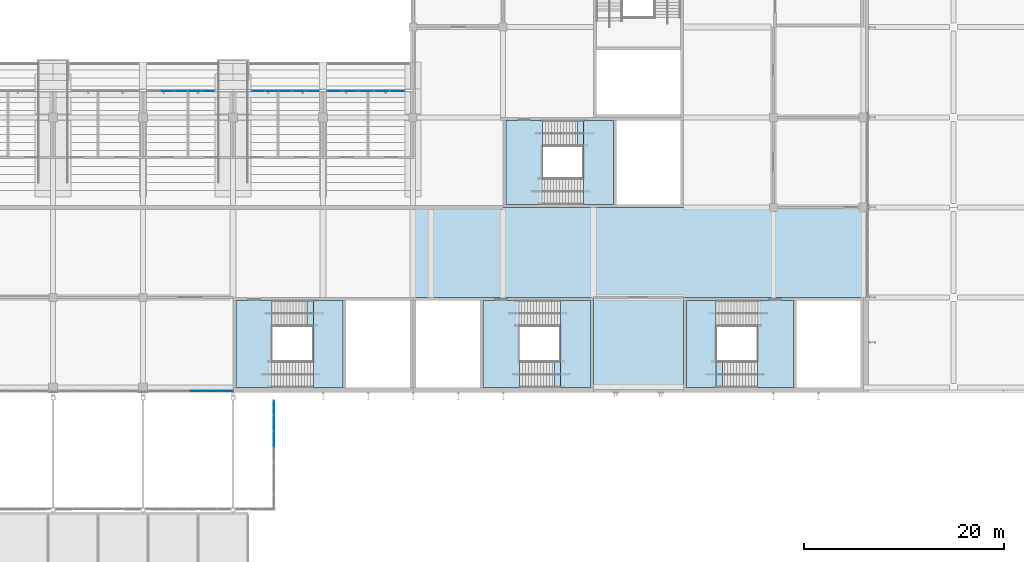
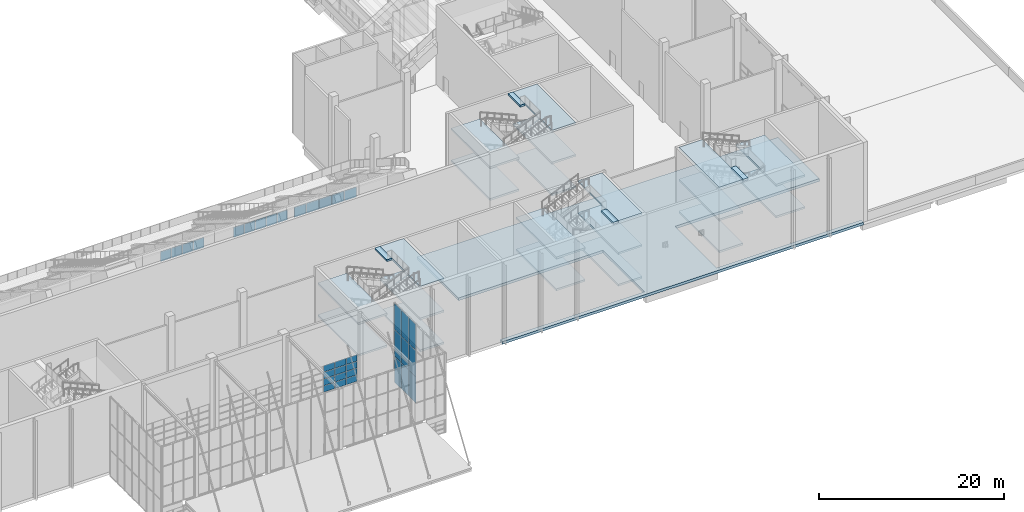
# One storey, part 73 of 182: 35 plates, 25 slabs, 9 elements without a shape of their own.
"""IFC4 building model written with IfcOpenShell, lengths in metres."""

from ifc_helpers import new_model, si_unit, direction, frame, origin, origin_2d, place, context, subcontext, project, spatial, polyline, rectangle, outline, extrude, material, layer, layer_set, type_object, element, aggregate, save


model = new_model("IFC4")

# Units and contexts
model_context = context("Model", 3, precision=1e-05, world=origin(), true_north=direction((0.0, 1.0)))
body_context = subcontext(model_context, "Body", "Model", "MODEL_VIEW")
ifc_project = project(units=[si_unit("LENGTHUNIT", "METRE"), si_unit("AREAUNIT", "SQUARE_METRE"), si_unit("VOLUMEUNIT", "CUBIC_METRE"), si_unit("PLANEANGLEUNIT", "RADIAN"), si_unit("MASSUNIT", "GRAM", prefix="KILO")], contexts=[model_context])

# Site, building, storey
site_placement = place(None, origin())
site = spatial("IfcSite", under=ifc_project, at=site_placement, CompositionType="ELEMENT")
building_placement = place(site_placement, origin())
building = spatial("IfcBuilding", under=site, at=building_placement, Name="Silverbay Arena", CompositionType="ELEMENT")
storey_placement = place(building_placement, frame((0.0, 0.0, 11.5)))
storey = spatial("IfcBuildingStorey", under=building, at=storey_placement, Name="L02", CompositionType="ELEMENT", Elevation=11.5)

# Curtain wall, plates
ifc_material_1 = material(Name="Fire-resisting glass", Category="glass")
curtain_wall_type_1 = type_object("IfcCurtainWallType", Name="Fire-resisting glazed screen EI 120 6850 x 1437", PredefinedType="NOTDEFINED", material=ifc_material_1)
curtain_wall_1_placement = place(storey_placement, origin())
curtain_wall_1 = element("IfcCurtainWall", 1, at=curtain_wall_1_placement, inside=storey, type_object=curtain_wall_type_1, Name="South suite front 5", PredefinedType="NOTDEFINED")
ifc_material_2 = material(Name="Laminated glass", Category="glass")
ifc_layer_1 = layer(ifc_material_2, 0.02392578125)
ifc_layer_set_1 = layer_set([ifc_layer_1], Name="Laminated glass")
plate_type_1 = type_object("IfcPlateType", Name="Glass panel 24", PredefinedType="CURTAIN_PANEL", material=ifc_layer_set_1)
plate_1_placement = place(storey_placement, frame((137.405029296875, 47.60009765625, 1.150146484375), z_axis=(0.0, 0.0, 1.0), x_axis=(1.0, 0.0, 0.0)))
plate_1 = element("IfcPlate", 2, at=plate_1_placement, type_object=plate_type_1, Name="CW19 panel 2.1", PredefinedType="CURTAIN_PANEL", context=body_context, shape_type="SweptSolid", body=[
    extrude(rectangle(XDim=1.31005859375, YDim=0.02392578125, at=origin_2d()), origin(), (0.0, 0.0, 1.0), 1.3369140625),
])
plate_2_placement = place(storey_placement, frame((138.77490234375, 47.60009765625, 1.150146484375), z_axis=(0.0, 0.0, 1.0), x_axis=(1.0, 0.0, 0.0)))
plate_2 = element("IfcPlate", 3, at=plate_2_placement, type_object=plate_type_1, Name="CW19 panel 3.1", PredefinedType="CURTAIN_PANEL", context=body_context, shape_type="SweptSolid", body=[
    extrude(rectangle(XDim=1.31005859375, YDim=0.02392578125, at=origin_2d()), origin(), (0.0, 0.0, 1.0), 1.3369140625),
])
plate_3_placement = place(storey_placement, frame((140.14501953125, 47.60009765625, 1.150146484375), z_axis=(0.0, 0.0, 1.0), x_axis=(1.0, 0.0, 0.0)))
plate_3 = element("IfcPlate", 4, at=plate_3_placement, type_object=plate_type_1, Name="CW19 panel 4.1", PredefinedType="CURTAIN_PANEL", context=body_context, shape_type="SweptSolid", body=[
    extrude(rectangle(XDim=1.31005859375, YDim=0.02392578125, at=origin_2d()), origin(), (0.0, 0.0, 1.0), 1.3369140625),
])
plate_4_placement = place(storey_placement, frame((141.5, 47.60009765625, 1.150146484375), z_axis=(0.0, 0.0, 1.0), x_axis=(1.0, 0.0, 0.0)))
plate_4 = element("IfcPlate", 5, at=plate_4_placement, type_object=plate_type_1, Name="CW19 panel 5.1", PredefinedType="CURTAIN_PANEL", context=body_context, shape_type="SweptSolid", body=[
    extrude(rectangle(XDim=1.280029296875, YDim=0.02392578125, at=origin_2d()), origin(), (0.0, 0.0, 1.0), 1.3369140625),
])
aggregate(curtain_wall_1, [plate_1, plate_2, plate_3, plate_4])

curtain_wall_2_placement = place(storey_placement, origin())
curtain_wall_2 = element("IfcCurtainWall", 6, at=curtain_wall_2_placement, inside=storey, type_object=curtain_wall_type_1, Name="South suite front 6", PredefinedType="NOTDEFINED")
plate_5_placement = place(storey_placement, frame((146.5, 47.60009765625, 1.150146484375), z_axis=(0.0, 0.0, 1.0), x_axis=(1.0, 0.0, 0.0)))
plate_5 = element("IfcPlate", 7, at=plate_5_placement, type_object=plate_type_1, Name="CW19 panel 1.1", PredefinedType="CURTAIN_PANEL", context=body_context, shape_type="SweptSolid", body=[
    extrude(rectangle(XDim=1.280029296875, YDim=0.02392578125, at=origin_2d()), origin(), (0.0, 0.0, 1.0), 1.3369140625),
])
plate_6_placement = place(storey_placement, frame((147.85498046875, 47.60009765625, 1.150146484375), z_axis=(0.0, 0.0, 1.0), x_axis=(1.0, 0.0, 0.0)))
plate_6 = element("IfcPlate", 8, at=plate_6_placement, type_object=plate_type_1, Name="CW19 panel 2.1", PredefinedType="CURTAIN_PANEL", context=body_context, shape_type="SweptSolid", body=[
    extrude(rectangle(XDim=1.31005859375, YDim=0.02392578125, at=origin_2d()), origin(), (0.0, 0.0, 1.0), 1.3369140625),
])
plate_7_placement = place(storey_placement, frame((149.22509765625, 47.60009765625, 1.150146484375), z_axis=(0.0, 0.0, 1.0), x_axis=(1.0, 0.0, 0.0)))
plate_7 = element("IfcPlate", 9, at=plate_7_placement, type_object=plate_type_1, Name="CW19 panel 3.1", PredefinedType="CURTAIN_PANEL", context=body_context, shape_type="SweptSolid", body=[
    extrude(rectangle(XDim=1.31005859375, YDim=0.02392578125, at=origin_2d()), origin(), (0.0, 0.0, 1.0), 1.3369140625),
])
plate_8_placement = place(storey_placement, frame((150.594970703125, 47.60009765625, 1.150146484375), z_axis=(0.0, 0.0, 1.0), x_axis=(1.0, 0.0, 0.0)))
plate_8 = element("IfcPlate", 10, at=plate_8_placement, type_object=plate_type_1, Name="CW19 panel 4.1", PredefinedType="CURTAIN_PANEL", context=body_context, shape_type="SweptSolid", body=[
    extrude(rectangle(XDim=1.31005859375, YDim=0.02392578125, at=origin_2d()), origin(), (0.0, 0.0, 1.0), 1.3369140625),
])
plate_9_placement = place(storey_placement, frame((151.949951171875, 47.60009765625, 1.150146484375), z_axis=(0.0, 0.0, 1.0), x_axis=(1.0, 0.0, 0.0)))
plate_9 = element("IfcPlate", 11, at=plate_9_placement, type_object=plate_type_1, Name="CW19 panel 5.1", PredefinedType="CURTAIN_PANEL", context=body_context, shape_type="SweptSolid", body=[
    extrude(rectangle(XDim=1.280029296875, YDim=0.02392578125, at=origin_2d()), origin(), (0.0, 0.0, 1.0), 1.3369140625),
])
aggregate(curtain_wall_2, [plate_5, plate_6, plate_7, plate_8, plate_9])

ifc_material_3 = material(Name="Fire-resisting glass", Category="glass")
curtain_wall_type_2 = type_object("IfcCurtainWallType", Name="Fire-resisting glazed screen EI 120 7850 x 1437", PredefinedType="NOTDEFINED", material=ifc_material_3)
curtain_wall_3_placement = place(storey_placement, origin())
curtain_wall_3 = element("IfcCurtainWall", 12, at=curtain_wall_3_placement, inside=storey, type_object=curtain_wall_type_2, Name="South suite front 7", PredefinedType="NOTDEFINED")
plate_10_placement = place(storey_placement, frame((154.14990234375, 47.60009765625, 1.150146484375), z_axis=(0.0, 0.0, 1.0), x_axis=(1.0, 0.0, 0.0)))
plate_10 = element("IfcPlate", 13, at=plate_10_placement, type_object=plate_type_1, Name="CW17 panel 1.1", PredefinedType="CURTAIN_PANEL", context=body_context, shape_type="SweptSolid", body=[
    extrude(rectangle(XDim=1.47998046875, YDim=0.02392578125, at=origin_2d()), origin(), (0.0, 0.0, 1.0), 1.3369140625),
])
plate_11_placement = place(storey_placement, frame((155.705078125, 47.60009765625, 1.150146484375), z_axis=(0.0, 0.0, 1.0), x_axis=(1.0, 0.0, 0.0)))
plate_11 = element("IfcPlate", 14, at=plate_11_placement, type_object=plate_type_1, Name="CW17 panel 2.1", PredefinedType="CURTAIN_PANEL", context=body_context, shape_type="SweptSolid", body=[
    extrude(rectangle(XDim=1.510009765625, YDim=0.02392578125, at=origin_2d()), origin(), (0.0, 0.0, 1.0), 1.3369140625),
])
plate_12_placement = place(storey_placement, frame((157.27490234375, 47.60009765625, 1.150146484375), z_axis=(0.0, 0.0, 1.0), x_axis=(1.0, 0.0, 0.0)))
plate_12 = element("IfcPlate", 15, at=plate_12_placement, type_object=plate_type_1, Name="CW17 panel 3.1", PredefinedType="CURTAIN_PANEL", context=body_context, shape_type="SweptSolid", body=[
    extrude(rectangle(XDim=1.510009765625, YDim=0.02392578125, at=origin_2d()), origin(), (0.0, 0.0, 1.0), 1.3369140625),
])
plate_13_placement = place(storey_placement, frame((158.844970703125, 47.60009765625, 1.150146484375), z_axis=(0.0, 0.0, 1.0), x_axis=(1.0, 0.0, 0.0)))
plate_13 = element("IfcPlate", 16, at=plate_13_placement, type_object=plate_type_1, Name="CW17 panel 4.1", PredefinedType="CURTAIN_PANEL", context=body_context, shape_type="SweptSolid", body=[
    extrude(rectangle(XDim=1.510009765625, YDim=0.02392578125, at=origin_2d()), origin(), (0.0, 0.0, 1.0), 1.3369140625),
])
plate_14_placement = place(storey_placement, frame((160.39990234375, 47.60009765625, 1.150146484375), z_axis=(0.0, 0.0, 1.0), x_axis=(1.0, 0.0, 0.0)))
plate_14 = element("IfcPlate", 17, at=plate_14_placement, type_object=plate_type_1, Name="CW17 panel 5.1", PredefinedType="CURTAIN_PANEL", context=body_context, shape_type="SweptSolid", body=[
    extrude(rectangle(XDim=1.47998046875, YDim=0.02392578125, at=origin_2d()), origin(), (0.0, 0.0, 1.0), 1.3369140625),
])
aggregate(curtain_wall_3, [plate_10, plate_11, plate_12, plate_13, plate_14])

ifc_material_4 = material(Name="Aluminium framed curtain wall", Category="aluminium")
curtain_wall_type_3 = type_object("IfcCurtainWallType", Name="Curtain wall 11000 x 10500", PredefinedType="NOTDEFINED", material=ifc_material_4)
curtain_wall_4_placement = place(storey_placement, origin())
curtain_wall_4 = element("IfcCurtainWall", 18, at=curtain_wall_4_placement, inside=storey, type_object=curtain_wall_type_3, Name="South entrance hall S1 glazing SB", PredefinedType="NOTDEFINED")
ifc_material_5 = material(Name="Laminated glass", Category="glass")
ifc_layer_2 = layer(ifc_material_5, 0.028076171875)
ifc_layer_set_2 = layer_set([ifc_layer_2], Name="Laminated glass")
plate_type_2 = type_object("IfcPlateType", Name="Glass panel 28", PredefinedType="CURTAIN_PANEL", material=ifc_layer_set_2)
plate_15_placement = place(storey_placement, frame((148.090087890625, 12.821533203125, 0.0498046875), z_axis=(0.0, 0.0, 1.0), x_axis=(0.0, 1.0, 0.0)))
plate_15 = element("IfcPlate", 19, at=plate_15_placement, type_object=plate_type_2, Name="CW37 panel 5.1", PredefinedType="CURTAIN_PANEL", context=body_context, shape_type="SweptSolid", body=[
    extrude(rectangle(XDim=1.511474609375, YDim=0.028076171875, at=origin_2d()), origin(), (0.0, 0.0, 1.0), 3.425048828125),
])
plate_16_placement = place(storey_placement, frame((148.090087890625, 12.821533203125, 3.52490234375), z_axis=(0.0, 0.0, 1.0), x_axis=(0.0, 1.0, 0.0)))
plate_16 = element("IfcPlate", 20, at=plate_16_placement, type_object=plate_type_2, Name="CW37 panel 5.2", PredefinedType="CURTAIN_PANEL", context=body_context, shape_type="SweptSolid", body=[
    extrude(rectangle(XDim=1.511474609375, YDim=0.028076171875, at=origin_2d()), origin(), (0.0, 0.0, 1.0), 3.449951171875),
])
plate_17_placement = place(storey_placement, frame((148.090087890625, 12.821533203125, 7.02490234375), z_axis=(0.0, 0.0, 1.0), x_axis=(0.0, 1.0, 0.0)))
plate_17 = element("IfcPlate", 21, at=plate_17_placement, type_object=plate_type_2, Name="CW37 panel 5.3", PredefinedType="CURTAIN_PANEL", context=body_context, shape_type="SweptSolid", body=[
    extrude(rectangle(XDim=1.511474609375, YDim=0.028076171875, at=origin_2d()), origin(), (0.0, 0.0, 1.0), 3.425048828125),
])
plate_18_placement = place(storey_placement, frame((148.090087890625, 14.392822265625, 0.0498046875), z_axis=(0.0, 0.0, 1.0), x_axis=(0.0, 1.0, 0.0)))
plate_18 = element("IfcPlate", 22, at=plate_18_placement, type_object=plate_type_2, Name="CW37 panel 6.1", PredefinedType="CURTAIN_PANEL", context=body_context, shape_type="SweptSolid", body=[
    extrude(rectangle(XDim=1.511474609375, YDim=0.028076171875, at=origin_2d()), origin(), (0.0, 0.0, 1.0), 3.425048828125),
])
plate_19_placement = place(storey_placement, frame((148.090087890625, 14.392822265625, 3.52490234375), z_axis=(0.0, 0.0, 1.0), x_axis=(0.0, 1.0, 0.0)))
plate_19 = element("IfcPlate", 23, at=plate_19_placement, type_object=plate_type_2, Name="CW37 panel 6.2", PredefinedType="CURTAIN_PANEL", context=body_context, shape_type="SweptSolid", body=[
    extrude(rectangle(XDim=1.511474609375, YDim=0.028076171875, at=origin_2d()), origin(), (0.0, 0.0, 1.0), 3.449951171875),
])
plate_20_placement = place(storey_placement, frame((148.090087890625, 14.392822265625, 7.02490234375), z_axis=(0.0, 0.0, 1.0), x_axis=(0.0, 1.0, 0.0)))
plate_20 = element("IfcPlate", 24, at=plate_20_placement, type_object=plate_type_2, Name="CW37 panel 6.3", PredefinedType="CURTAIN_PANEL", context=body_context, shape_type="SweptSolid", body=[
    extrude(rectangle(XDim=1.511474609375, YDim=0.028076171875, at=origin_2d()), origin(), (0.0, 0.0, 1.0), 3.425048828125),
])
plate_21_placement = place(storey_placement, frame((148.090087890625, 15.94921875, 0.0498046875), z_axis=(0.0, 0.0, 1.0), x_axis=(0.0, 1.0, 0.0)))
plate_21 = element("IfcPlate", 25, at=plate_21_placement, type_object=plate_type_2, Name="CW37 panel 7.1", PredefinedType="CURTAIN_PANEL", context=body_context, shape_type="SweptSolid", body=[
    extrude(rectangle(XDim=1.4814453125, YDim=0.028076171875, at=origin_2d()), origin(), (0.0, 0.0, 1.0), 3.425048828125),
])
plate_22_placement = place(storey_placement, frame((148.090087890625, 15.94921875, 3.52490234375), z_axis=(0.0, 0.0, 1.0), x_axis=(0.0, 1.0, 0.0)))
plate_22 = element("IfcPlate", 26, at=plate_22_placement, type_object=plate_type_2, Name="CW37 panel 7.2", PredefinedType="CURTAIN_PANEL", context=body_context, shape_type="SweptSolid", body=[
    extrude(rectangle(XDim=1.4814453125, YDim=0.028076171875, at=origin_2d()), origin(), (0.0, 0.0, 1.0), 3.449951171875),
])
plate_23_placement = place(storey_placement, frame((148.090087890625, 15.94921875, 7.02490234375), z_axis=(0.0, 0.0, 1.0), x_axis=(0.0, 1.0, 0.0)))
plate_23 = element("IfcPlate", 27, at=plate_23_placement, type_object=plate_type_2, Name="CW37 panel 7.3", PredefinedType="CURTAIN_PANEL", context=body_context, shape_type="SweptSolid", body=[
    extrude(rectangle(XDim=1.4814453125, YDim=0.028076171875, at=origin_2d()), origin(), (0.0, 0.0, 1.0), 3.425048828125),
])
aggregate(curtain_wall_4, [plate_15, plate_16, plate_17, plate_18, plate_19, plate_20, plate_21, plate_22, plate_23])

ifc_material_6 = material(Name="Aluminium framed curtain wall", Category="aluminium")
curtain_wall_type_4 = type_object("IfcCurtainWallType", Name="Curtain wall 8550 x 3600", PredefinedType="NOTDEFINED", material=ifc_material_6)
curtain_wall_5_placement = place(storey_placement, origin())
curtain_wall_5 = element("IfcCurtainWall", 28, at=curtain_wall_5_placement, inside=storey, type_object=curtain_wall_type_4, Name="South curtain wall L02 bay 10", PredefinedType="NOTDEFINED")
ifc_material_7 = material(Name="Laminated glass", Category="glass")
ifc_layer_3 = layer(ifc_material_7, 0.035888671875)
ifc_layer_set_3 = layer_set([ifc_layer_3], Name="Laminated glass")
plate_type_3 = type_object("IfcPlateType", Name="Glass panel 36", PredefinedType="CURTAIN_PANEL", material=ifc_layer_set_3)
plate_24_placement = place(storey_placement, frame((140.4375, 17.64990234375, 1.0498046875), z_axis=(0.0, 0.0, 1.0), x_axis=(1.0, 0.0, 0.0)))
plate_24 = element("IfcPlate", 29, at=plate_24_placement, type_object=plate_type_3, Name="CW10 panel 4.1", PredefinedType="CURTAIN_PANEL", context=body_context, shape_type="SweptSolid", body=[
    extrude(rectangle(XDim=1.364990234375, YDim=0.035888671875, at=origin_2d()), origin(), (0.0, 0.0, 1.0), 0.824951171875),
])
plate_25_placement = place(storey_placement, frame((140.4375, 17.64990234375, 1.925048828125), z_axis=(0.0, 0.0, 1.0), x_axis=(1.0, 0.0, 0.0)))
plate_25 = element("IfcPlate", 30, at=plate_25_placement, type_object=plate_type_3, Name="CW10 panel 4.2", PredefinedType="CURTAIN_PANEL", context=body_context, shape_type="SweptSolid", body=[
    extrude(rectangle(XDim=1.364990234375, YDim=0.035888671875, at=origin_2d()), origin(), (0.0, 0.0, 1.0), 0.85009765625),
])
plate_26_placement = place(storey_placement, frame((140.4375, 17.64990234375, 2.824951171875), z_axis=(0.0, 0.0, 1.0), x_axis=(1.0, 0.0, 0.0)))
plate_26 = element("IfcPlate", 31, at=plate_26_placement, type_object=plate_type_3, Name="CW10 panel 4.3", PredefinedType="CURTAIN_PANEL", context=body_context, shape_type="SweptSolid", body=[
    extrude(rectangle(XDim=1.364990234375, YDim=0.035888671875, at=origin_2d()), origin(), (0.0, 0.0, 1.0), 0.85009765625),
])
plate_27_placement = place(storey_placement, frame((140.4375, 17.64990234375, 3.72509765625), z_axis=(0.0, 0.0, 1.0), x_axis=(1.0, 0.0, 0.0)))
plate_27 = element("IfcPlate", 32, at=plate_27_placement, type_object=plate_type_3, Name="CW10 panel 4.4", PredefinedType="CURTAIN_PANEL", context=body_context, shape_type="SweptSolid", body=[
    extrude(rectangle(XDim=1.364990234375, YDim=0.035888671875, at=origin_2d()), origin(), (0.0, 0.0, 1.0), 0.824951171875),
])
plate_28_placement = place(storey_placement, frame((141.862548828125, 17.64990234375, 1.0498046875), z_axis=(0.0, 0.0, 1.0), x_axis=(1.0, 0.0, 0.0)))
plate_28 = element("IfcPlate", 33, at=plate_28_placement, type_object=plate_type_3, Name="CW10 panel 5.1", PredefinedType="CURTAIN_PANEL", context=body_context, shape_type="SweptSolid", body=[
    extrude(rectangle(XDim=1.364990234375, YDim=0.035888671875, at=origin_2d()), origin(), (0.0, 0.0, 1.0), 0.824951171875),
])
plate_29_placement = place(storey_placement, frame((141.862548828125, 17.64990234375, 1.925048828125), z_axis=(0.0, 0.0, 1.0), x_axis=(1.0, 0.0, 0.0)))
plate_29 = element("IfcPlate", 34, at=plate_29_placement, type_object=plate_type_3, Name="CW10 panel 5.2", PredefinedType="CURTAIN_PANEL", context=body_context, shape_type="SweptSolid", body=[
    extrude(rectangle(XDim=1.364990234375, YDim=0.035888671875, at=origin_2d()), origin(), (0.0, 0.0, 1.0), 0.85009765625),
])
plate_30_placement = place(storey_placement, frame((141.862548828125, 17.64990234375, 2.824951171875), z_axis=(0.0, 0.0, 1.0), x_axis=(1.0, 0.0, 0.0)))
plate_30 = element("IfcPlate", 35, at=plate_30_placement, type_object=plate_type_3, Name="CW10 panel 5.3", PredefinedType="CURTAIN_PANEL", context=body_context, shape_type="SweptSolid", body=[
    extrude(rectangle(XDim=1.364990234375, YDim=0.035888671875, at=origin_2d()), origin(), (0.0, 0.0, 1.0), 0.85009765625),
])
plate_31_placement = place(storey_placement, frame((141.862548828125, 17.64990234375, 3.72509765625), z_axis=(0.0, 0.0, 1.0), x_axis=(1.0, 0.0, 0.0)))
plate_31 = element("IfcPlate", 36, at=plate_31_placement, type_object=plate_type_3, Name="CW10 panel 5.4", PredefinedType="CURTAIN_PANEL", context=body_context, shape_type="SweptSolid", body=[
    extrude(rectangle(XDim=1.364990234375, YDim=0.035888671875, at=origin_2d()), origin(), (0.0, 0.0, 1.0), 0.824951171875),
])
plate_32_placement = place(storey_placement, frame((143.2724609375, 17.64990234375, 1.0498046875), z_axis=(0.0, 0.0, 1.0), x_axis=(1.0, 0.0, 0.0)))
plate_32 = element("IfcPlate", 37, at=plate_32_placement, type_object=plate_type_3, Name="CW10 panel 6.1", PredefinedType="CURTAIN_PANEL", context=body_context, shape_type="SweptSolid", body=[
    extrude(rectangle(XDim=1.3349609375, YDim=0.035888671875, at=origin_2d()), origin(), (0.0, 0.0, 1.0), 0.824951171875),
])
plate_33_placement = place(storey_placement, frame((143.2724609375, 17.64990234375, 1.925048828125), z_axis=(0.0, 0.0, 1.0), x_axis=(1.0, 0.0, 0.0)))
plate_33 = element("IfcPlate", 38, at=plate_33_placement, type_object=plate_type_3, Name="CW10 panel 6.2", PredefinedType="CURTAIN_PANEL", context=body_context, shape_type="SweptSolid", body=[
    extrude(rectangle(XDim=1.3349609375, YDim=0.035888671875, at=origin_2d()), origin(), (0.0, 0.0, 1.0), 0.85009765625),
])
plate_34_placement = place(storey_placement, frame((143.2724609375, 17.64990234375, 2.824951171875), z_axis=(0.0, 0.0, 1.0), x_axis=(1.0, 0.0, 0.0)))
plate_34 = element("IfcPlate", 39, at=plate_34_placement, type_object=plate_type_3, Name="CW10 panel 6.3", PredefinedType="CURTAIN_PANEL", context=body_context, shape_type="SweptSolid", body=[
    extrude(rectangle(XDim=1.3349609375, YDim=0.035888671875, at=origin_2d()), origin(), (0.0, 0.0, 1.0), 0.85009765625),
])
plate_35_placement = place(storey_placement, frame((143.2724609375, 17.64990234375, 3.72509765625), z_axis=(0.0, 0.0, 1.0), x_axis=(1.0, 0.0, 0.0)))
plate_35 = element("IfcPlate", 40, at=plate_35_placement, type_object=plate_type_3, Name="CW10 panel 6.4", PredefinedType="CURTAIN_PANEL", context=body_context, shape_type="SweptSolid", body=[
    extrude(rectangle(XDim=1.3349609375, YDim=0.035888671875, at=origin_2d()), origin(), (0.0, 0.0, 1.0), 0.824951171875),
])
aggregate(curtain_wall_5, [plate_24, plate_25, plate_26, plate_27, plate_28, plate_29, plate_30, plate_31, plate_32, plate_33, plate_34, plate_35])

# Slab
ifc_material_8 = material(Name="Concrete Grade C45", Category="concrete")
ifc_layer_4 = layer(ifc_material_8, 0.35009765625)
ifc_layer_set_4 = layer_set([ifc_layer_4], Name="Concrete Grade C45")
slab_type_1 = type_object("IfcSlabType", Name="RC floor slab 350", PredefinedType="FLOOR", material=ifc_layer_set_4)
slab_1_placement = place(storey_placement, frame((0.0, 0.0, -0.35009765625)))
element("IfcSlab", 41, at=slab_1_placement, inside=storey, type_object=slab_type_1, Name="Floor slab L02 unit 3", PredefinedType="FLOOR", context=body_context, shape_type="SweptSolid", body=[
    extrude(outline(polyline([(180.0, 27.0), (162.0, 27.0), (162.0, 35.97509765625), (207.0, 35.97509765625), (207.0, 27.0), (189.0, 27.0), (189.0, 18.0), (207.0, 18.0), (207.0, 17.5), (162.0, 17.5), (162.0, 18.0), (180.0, 18.0), (180.0, 27.0)])), origin(), (0.0, 0.0, 1.0), 0.35009765625),
])

# Stair, slab
ifc_material_9 = material(Name="Concrete Grade C45", Category="concrete")
stair_type = type_object("IfcStairType", Name="Stair 2600 wide 80 risers 131.2 x 300", PredefinedType="HALF_TURN_STAIR", material=ifc_material_9)
stair_1_placement = place(storey_placement, origin())
stair_1 = element("IfcStair", 42, at=stair_1_placement, inside=storey, type_object=stair_type, Name="Stair ST-S3 L02 to L03", PredefinedType="HALF_TURN_STAIR")
ifc_material_10 = material(Name="Concrete Grade C45", Category="concrete")
ifc_layer_5 = layer(ifc_material_10, 0.25)
ifc_layer_set_5 = layer_set([ifc_layer_5], Name="Concrete Grade C45")
slab_type_2 = type_object("IfcSlabType", Name="Stair arrival platform RC 250", PredefinedType="FLOOR", material=ifc_layer_set_5)
slab_2_placement = place(storey_placement, frame((0.0, 0.0, 10.25)))
slab_2 = element("IfcSlab", 43, at=slab_2_placement, type_object=slab_type_2, Name="Stair ST-S3 L02 to L03 arrival platform 6", PredefinedType="FLOOR", context=body_context, shape_type="SweptSolid", body=[
    extrude(outline(polyline([(151.39990234375, 26.699951171875), (152.02587890625, 26.699951171875), (152.02587890625, 24.10009765625), (151.39990234375, 24.10009765625), (151.39990234375, 26.699951171875)])), origin(), (0.0, 0.0, 1.0), 0.25),
])

stair_2_placement = place(storey_placement, origin())
stair_2 = element("IfcStair", 44, at=stair_2_placement, inside=storey, type_object=stair_type, Name="Stair ST-S4 L02 to L03", PredefinedType="HALF_TURN_STAIR")
slab_3_placement = place(storey_placement, frame((0.0, 0.0, 10.25)))
slab_3 = element("IfcSlab", 45, at=slab_3_placement, type_object=slab_type_2, Name="Stair ST-S4 L02 to L03 arrival platform 6", PredefinedType="FLOOR", context=body_context, shape_type="SweptSolid", body=[
    extrude(outline(polyline([(176.10009765625, 20.60009765625), (176.725830078125, 20.60009765625), (176.725830078125, 18.0), (176.10009765625, 18.0), (176.10009765625, 20.60009765625)])), origin(), (0.0, 0.0, 1.0), 0.25),
])

stair_3_placement = place(storey_placement, origin())
stair_3 = element("IfcStair", 46, at=stair_3_placement, inside=storey, type_object=stair_type, Name="Stair ST-S6 L02 to L03", PredefinedType="HALF_TURN_STAIR")
slab_4_placement = place(storey_placement, frame((0.0, 0.0, 10.25)))
slab_4 = element("IfcSlab", 47, at=slab_4_placement, type_object=slab_type_2, Name="Stair ST-S6 L02 to L03 arrival platform 6", PredefinedType="FLOOR", context=body_context, shape_type="SweptSolid", body=[
    extrude(outline(polyline([(192.89990234375, 20.60009765625), (192.274169921875, 20.60009765625), (192.274169921875, 18.0), (192.89990234375, 18.0), (192.89990234375, 20.60009765625)])), origin(), (0.0, 0.0, 1.0), 0.25),
])

stair_4_placement = place(storey_placement, origin())
stair_4 = element("IfcStair", 48, at=stair_4_placement, inside=storey, type_object=stair_type, Name="Stair ST-SE1 L02 to L03", PredefinedType="HALF_TURN_STAIR")
slab_5_placement = place(storey_placement, frame((0.0, 0.0, 10.25)))
slab_5 = element("IfcSlab", 49, at=slab_5_placement, type_object=slab_type_2, Name="Stair ST-SE1 L02 to L03 arrival platform 6", PredefinedType="FLOOR", context=body_context, shape_type="SweptSolid", body=[
    extrude(outline(polyline([(178.39990234375, 44.699951171875), (179.02587890625, 44.699951171875), (179.02587890625, 42.10009765625), (178.39990234375, 42.10009765625), (178.39990234375, 44.699951171875)])), origin(), (0.0, 0.0, 1.0), 0.25),
])

# Slab
ifc_material_11 = material(Name="Concrete Grade C45", Category="concrete")
ifc_layer_6 = layer(ifc_material_11, 0.25)
ifc_layer_set_6 = layer_set([ifc_layer_6], Name="Concrete Grade C45")
slab_type_3 = type_object("IfcSlabType", Name="Stair landing RC 250", PredefinedType="LANDING", material=ifc_layer_set_6)
slab_6_placement = place(storey_placement, frame((0.0, 0.0, 1.85009765625)))
slab_6 = element("IfcSlab", 50, at=slab_6_placement, type_object=slab_type_3, Name="Stair ST-S3 L02 to L03 landing 1", PredefinedType="LANDING", context=body_context, shape_type="SweptSolid", body=[
    extrude(outline(polyline([(152.02587890625, 26.699951171875), (155.0, 26.699951171875), (155.0, 18.0), (152.02587890625, 18.0), (152.02587890625, 26.699951171875)])), origin(), (0.0, 0.0, 1.0), 0.25),
])

slab_7_placement = place(storey_placement, frame((0.0, 0.0, 3.949951171875)))
slab_7 = element("IfcSlab", 51, at=slab_7_placement, type_object=slab_type_3, Name="Stair ST-S3 L02 to L03 landing 2", PredefinedType="LANDING", context=body_context, shape_type="SweptSolid", body=[
    extrude(outline(polyline([(144.300048828125, 26.699951171875), (147.89990234375, 26.699951171875), (147.89990234375, 18.0), (144.300048828125, 18.0), (144.300048828125, 26.699951171875)])), origin(), (0.0, 0.0, 1.0), 0.25),
])

slab_8_placement = place(storey_placement, frame((0.0, 0.0, 6.050048828125)))
slab_8 = element("IfcSlab", 52, at=slab_8_placement, type_object=slab_type_3, Name="Stair ST-S3 L02 to L03 landing 3", PredefinedType="LANDING", context=body_context, shape_type="SweptSolid", body=[
    extrude(outline(polyline([(152.02587890625, 26.699951171875), (155.0, 26.699951171875), (155.0, 18.0), (152.02587890625, 18.0), (152.02587890625, 26.699951171875)])), origin(), (0.0, 0.0, 1.0), 0.25),
])

slab_9_placement = place(storey_placement, frame((0.0, 0.0, 8.14990234375)))
slab_9 = element("IfcSlab", 53, at=slab_9_placement, type_object=slab_type_3, Name="Stair ST-S3 L02 to L03 landing 4", PredefinedType="LANDING", context=body_context, shape_type="SweptSolid", body=[
    extrude(outline(polyline([(144.300048828125, 26.699951171875), (147.89990234375, 26.699951171875), (147.89990234375, 18.0), (144.300048828125, 18.0), (144.300048828125, 26.699951171875)])), origin(), (0.0, 0.0, 1.0), 0.25),
])

slab_10_placement = place(storey_placement, frame((0.0, 0.0, 10.25)))
slab_10 = element("IfcSlab", 54, at=slab_10_placement, type_object=slab_type_3, Name="Stair ST-S3 L02 to L03 landing 5", PredefinedType="LANDING", context=body_context, shape_type="SweptSolid", body=[
    extrude(outline(polyline([(152.02587890625, 26.699951171875), (155.0, 26.699951171875), (155.0, 18.0), (152.02587890625, 18.0), (152.02587890625, 26.699951171875)])), origin(), (0.0, 0.0, 1.0), 0.25),
])

aggregate(stair_1, [slab_6, slab_7, slab_8, slab_9, slab_10, slab_2])

slab_11_placement = place(storey_placement, frame((0.0, 0.0, 1.85009765625)))
slab_11 = element("IfcSlab", 55, at=slab_11_placement, type_object=slab_type_3, Name="Stair ST-S4 L02 to L03 landing 1", PredefinedType="LANDING", context=body_context, shape_type="SweptSolid", body=[
    extrude(outline(polyline([(176.725830078125, 26.699951171875), (179.699951171875, 26.699951171875), (179.699951171875, 18.0), (176.725830078125, 18.0), (176.725830078125, 26.699951171875)])), origin(), (0.0, 0.0, 1.0), 0.25),
])

slab_12_placement = place(storey_placement, frame((0.0, 0.0, 3.949951171875)))
slab_12 = element("IfcSlab", 56, at=slab_12_placement, type_object=slab_type_3, Name="Stair ST-S4 L02 to L03 landing 2", PredefinedType="LANDING", context=body_context, shape_type="SweptSolid", body=[
    extrude(outline(polyline([(169.0, 26.699951171875), (172.60009765625, 26.699951171875), (172.60009765625, 18.0), (169.0, 18.0), (169.0, 26.699951171875)])), origin(), (0.0, 0.0, 1.0), 0.25),
])

slab_13_placement = place(storey_placement, frame((0.0, 0.0, 6.050048828125)))
slab_13 = element("IfcSlab", 57, at=slab_13_placement, type_object=slab_type_3, Name="Stair ST-S4 L02 to L03 landing 3", PredefinedType="LANDING", context=body_context, shape_type="SweptSolid", body=[
    extrude(outline(polyline([(176.725830078125, 26.699951171875), (179.699951171875, 26.699951171875), (179.699951171875, 18.0), (176.725830078125, 18.0), (176.725830078125, 26.699951171875)])), origin(), (0.0, 0.0, 1.0), 0.25),
])

slab_14_placement = place(storey_placement, frame((0.0, 0.0, 8.14990234375)))
slab_14 = element("IfcSlab", 58, at=slab_14_placement, type_object=slab_type_3, Name="Stair ST-S4 L02 to L03 landing 4", PredefinedType="LANDING", context=body_context, shape_type="SweptSolid", body=[
    extrude(outline(polyline([(169.0, 26.699951171875), (172.60009765625, 26.699951171875), (172.60009765625, 18.0), (169.0, 18.0), (169.0, 26.699951171875)])), origin(), (0.0, 0.0, 1.0), 0.25),
])

slab_15_placement = place(storey_placement, frame((0.0, 0.0, 10.25)))
slab_15 = element("IfcSlab", 59, at=slab_15_placement, type_object=slab_type_3, Name="Stair ST-S4 L02 to L03 landing 5", PredefinedType="LANDING", context=body_context, shape_type="SweptSolid", body=[
    extrude(outline(polyline([(176.725830078125, 26.699951171875), (179.699951171875, 26.699951171875), (179.699951171875, 18.0), (176.725830078125, 18.0), (176.725830078125, 26.699951171875)])), origin(), (0.0, 0.0, 1.0), 0.25),
])

aggregate(stair_2, [slab_11, slab_12, slab_13, slab_14, slab_15, slab_3])

slab_16_placement = place(storey_placement, frame((0.0, 0.0, 1.85009765625)))
slab_16 = element("IfcSlab", 60, at=slab_16_placement, type_object=slab_type_3, Name="Stair ST-S6 L02 to L03 landing 1", PredefinedType="LANDING", context=body_context, shape_type="SweptSolid", body=[
    extrude(outline(polyline([(192.274169921875, 26.699951171875), (189.300048828125, 26.699951171875), (189.300048828125, 18.0), (192.274169921875, 18.0), (192.274169921875, 26.699951171875)])), origin(), (0.0, 0.0, 1.0), 0.25),
])

slab_17_placement = place(storey_placement, frame((0.0, 0.0, 3.949951171875)))
slab_17 = element("IfcSlab", 61, at=slab_17_placement, type_object=slab_type_3, Name="Stair ST-S6 L02 to L03 landing 2", PredefinedType="LANDING", context=body_context, shape_type="SweptSolid", body=[
    extrude(outline(polyline([(200.0, 26.699951171875), (196.39990234375, 26.699951171875), (196.39990234375, 18.0), (200.0, 18.0), (200.0, 26.699951171875)])), origin(), (0.0, 0.0, 1.0), 0.25),
])

slab_18_placement = place(storey_placement, frame((0.0, 0.0, 6.050048828125)))
slab_18 = element("IfcSlab", 62, at=slab_18_placement, type_object=slab_type_3, Name="Stair ST-S6 L02 to L03 landing 3", PredefinedType="LANDING", context=body_context, shape_type="SweptSolid", body=[
    extrude(outline(polyline([(192.274169921875, 26.699951171875), (189.300048828125, 26.699951171875), (189.300048828125, 18.0), (192.274169921875, 18.0), (192.274169921875, 26.699951171875)])), origin(), (0.0, 0.0, 1.0), 0.25),
])

slab_19_placement = place(storey_placement, frame((0.0, 0.0, 8.14990234375)))
slab_19 = element("IfcSlab", 63, at=slab_19_placement, type_object=slab_type_3, Name="Stair ST-S6 L02 to L03 landing 4", PredefinedType="LANDING", context=body_context, shape_type="SweptSolid", body=[
    extrude(outline(polyline([(200.0, 26.699951171875), (196.39990234375, 26.699951171875), (196.39990234375, 18.0), (200.0, 18.0), (200.0, 26.699951171875)])), origin(), (0.0, 0.0, 1.0), 0.25),
])

slab_20_placement = place(storey_placement, frame((0.0, 0.0, 10.25)))
slab_20 = element("IfcSlab", 64, at=slab_20_placement, type_object=slab_type_3, Name="Stair ST-S6 L02 to L03 landing 5", PredefinedType="LANDING", context=body_context, shape_type="SweptSolid", body=[
    extrude(outline(polyline([(192.274169921875, 26.699951171875), (189.300048828125, 26.699951171875), (189.300048828125, 18.0), (192.274169921875, 18.0), (192.274169921875, 26.699951171875)])), origin(), (0.0, 0.0, 1.0), 0.25),
])

aggregate(stair_3, [slab_16, slab_17, slab_18, slab_19, slab_20, slab_4])

slab_21_placement = place(storey_placement, frame((0.0, 0.0, 1.85009765625)))
slab_21 = element("IfcSlab", 65, at=slab_21_placement, type_object=slab_type_3, Name="Stair ST-SE1 L02 to L03 landing 1", PredefinedType="LANDING", context=body_context, shape_type="SweptSolid", body=[
    extrude(outline(polyline([(179.02587890625, 44.699951171875), (182.0, 44.699951171875), (182.0, 36.300048828125), (179.02587890625, 36.300048828125), (179.02587890625, 44.699951171875)])), origin(), (0.0, 0.0, 1.0), 0.25),
])

slab_22_placement = place(storey_placement, frame((0.0, 0.0, 3.949951171875)))
slab_22 = element("IfcSlab", 66, at=slab_22_placement, type_object=slab_type_3, Name="Stair ST-SE1 L02 to L03 landing 2", PredefinedType="LANDING", context=body_context, shape_type="SweptSolid", body=[
    extrude(outline(polyline([(171.300048828125, 44.699951171875), (174.89990234375, 44.699951171875), (174.89990234375, 36.300048828125), (171.300048828125, 36.300048828125), (171.300048828125, 44.699951171875)])), origin(), (0.0, 0.0, 1.0), 0.25),
])

slab_23_placement = place(storey_placement, frame((0.0, 0.0, 6.050048828125)))
slab_23 = element("IfcSlab", 67, at=slab_23_placement, type_object=slab_type_3, Name="Stair ST-SE1 L02 to L03 landing 3", PredefinedType="LANDING", context=body_context, shape_type="SweptSolid", body=[
    extrude(outline(polyline([(179.02587890625, 44.699951171875), (182.0, 44.699951171875), (182.0, 36.300048828125), (179.02587890625, 36.300048828125), (179.02587890625, 44.699951171875)])), origin(), (0.0, 0.0, 1.0), 0.25),
])

slab_24_placement = place(storey_placement, frame((0.0, 0.0, 8.14990234375)))
slab_24 = element("IfcSlab", 68, at=slab_24_placement, type_object=slab_type_3, Name="Stair ST-SE1 L02 to L03 landing 4", PredefinedType="LANDING", context=body_context, shape_type="SweptSolid", body=[
    extrude(outline(polyline([(171.300048828125, 44.699951171875), (174.89990234375, 44.699951171875), (174.89990234375, 36.300048828125), (171.300048828125, 36.300048828125), (171.300048828125, 44.699951171875)])), origin(), (0.0, 0.0, 1.0), 0.25),
])

slab_25_placement = place(storey_placement, frame((0.0, 0.0, 10.25)))
slab_25 = element("IfcSlab", 69, at=slab_25_placement, type_object=slab_type_3, Name="Stair ST-SE1 L02 to L03 landing 5", PredefinedType="LANDING", context=body_context, shape_type="SweptSolid", body=[
    extrude(outline(polyline([(179.02587890625, 44.699951171875), (182.0, 44.699951171875), (182.0, 36.300048828125), (179.02587890625, 36.300048828125), (179.02587890625, 44.699951171875)])), origin(), (0.0, 0.0, 1.0), 0.25),
])

aggregate(stair_4, [slab_21, slab_22, slab_23, slab_24, slab_25, slab_5])

save(model, "model.ifc")
